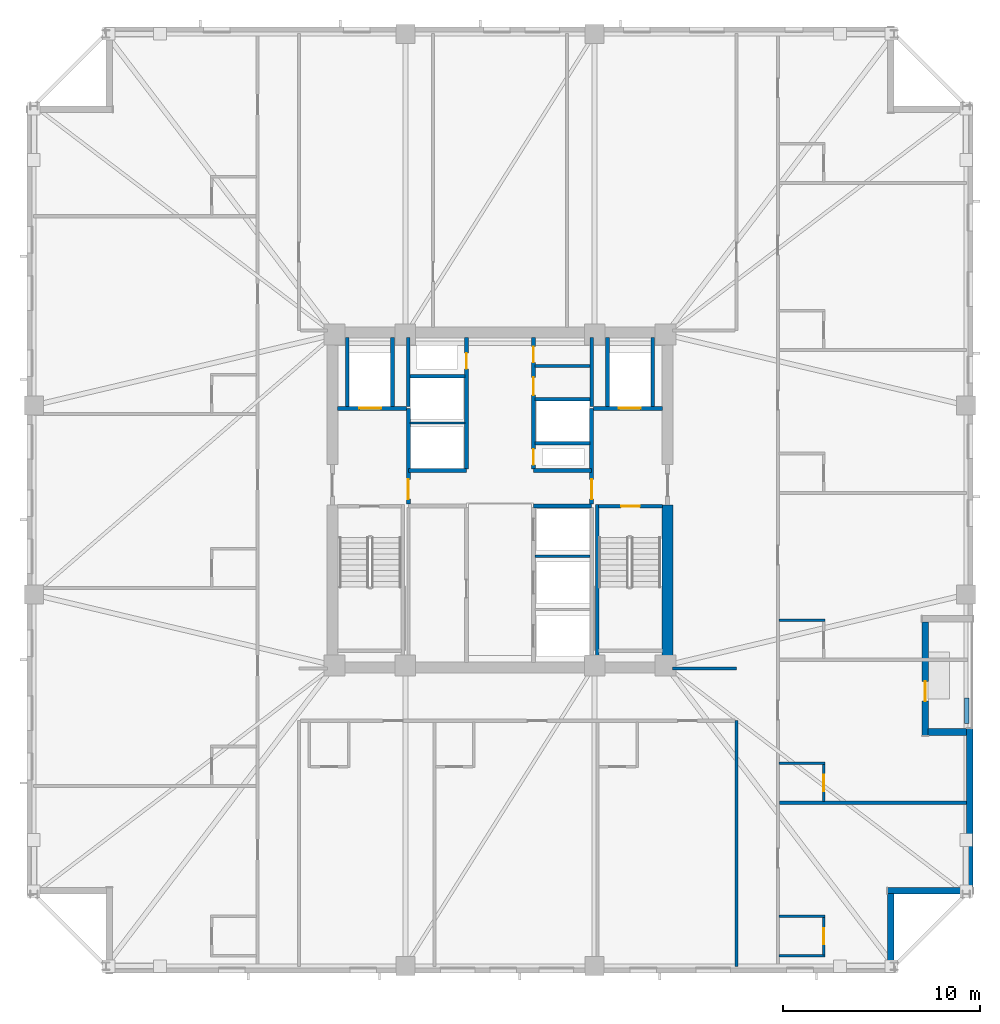
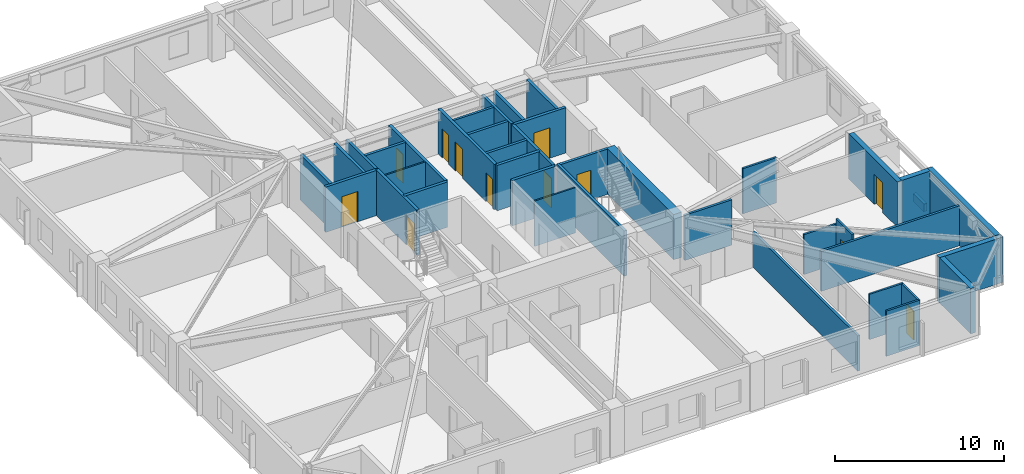
# One storey, part 4 of 11: 39 walls, 12 doors, 12 openings.
"""IFC4 building model written with IfcOpenShell, lengths in metres."""

import ifcopenshell
import ifcopenshell.guid

model = None  # the IFC model being written
_history = None  # IfcOwnerHistory: only IFC2X3 demands one
_inside = {}  # id of a spatial element -> (the spatial element, [elements in it])
_under = {}  # id of a project, library or spatial element -> (it, [spatial elements below it])
_declared = {}  # id of a project -> (the project, [libraries it declares])
_typed = {}  # id of a type object -> (the type object, [elements of that type])
_made_of = {}  # id of a material, layer set ... -> (it, [elements and type objects made of it])


def new_model(schema):
    """Start an empty IFC model of exactly this schema.

    Asked for "IFC4X3", IfcOpenShell would pick the latest addendum, in which some entities
    have other attributes; the version numbers below select the first issue.
    IFC2X3 requires an IfcOwnerHistory on every rooted entity: one is made here for all.
    """
    global model, _history
    if schema == "IFC4X3":
        model = ifcopenshell.file(schema_version=(4, 3, 0, 0))
    else:
        model = ifcopenshell.file(schema=schema)
    _inside.clear()
    _under.clear()
    _declared.clear()
    _typed.clear()
    _made_of.clear()
    _history = None
    if model.schema == "IFC2X3":
        org = make("IfcOrganization", Name="unknown")
        user = make(
            "IfcPersonAndOrganization",
            ThePerson=make("IfcPerson", FamilyName="unknown"),
            TheOrganization=org,
        )
        app = make(
            "IfcApplication",
            ApplicationDeveloper=org,
            Version="unknown",
            ApplicationFullName="unknown",
            ApplicationIdentifier="unknown",
        )
        _history = make(
            "IfcOwnerHistory",
            OwningUser=user,
            OwningApplication=app,
            ChangeAction="ADDED",
            CreationDate=0,
        )
    return model


def make(cls, **values):
    """One entity of the class cls with the attributes given. An attribute that is None is left unset."""
    return model.create_entity(
        cls, **{name: value for name, value in values.items() if value is not None}
    )


def rooted(cls, **values):
    """An entity with a GlobalId (a new one), such as an element, a storey or a relation."""
    return make(cls, GlobalId=ifcopenshell.guid.new(), OwnerHistory=_history, **values)


def si_unit(unit_type, name, prefix=None):
    """IfcSIUnit, for example si_unit("LENGTHUNIT", "METRE", prefix="MILLI")."""
    return make("IfcSIUnit", UnitType=unit_type, Prefix=prefix, Name=name)


def assignment(units):
    """IfcUnitAssignment: the units of a project."""
    return None if units is None else make("IfcUnitAssignment", Units=units)


def point(xyz):
    """IfcCartesianPoint."""
    return None if xyz is None else make("IfcCartesianPoint", Coordinates=xyz)


def direction(xyz):
    """IfcDirection."""
    return None if xyz is None else make("IfcDirection", DirectionRatios=xyz)


def frame(location, z_axis=None, x_axis=None):
    """IfcAxis2Placement3D, a coordinate frame: its origin and axes. An axis left out is left unset."""
    return make(
        "IfcAxis2Placement3D",
        Location=point(location),
        Axis=direction(z_axis),
        RefDirection=direction(x_axis),
    )


def frame_2d(location, x_axis=None):
    """IfcAxis2Placement2D, a coordinate frame in the plane: its origin and x axis."""
    return make(
        "IfcAxis2Placement2D", Location=point(location), RefDirection=direction(x_axis)
    )


def origin():
    """The frame at (0, 0, 0) with its axes left unset."""
    return frame((0.0, 0.0, 0.0))


def place(relative_to, where):
    """IfcLocalPlacement: puts the frame where relative to a parent placement (None: the world)."""
    return make(
        "IfcLocalPlacement", PlacementRelTo=relative_to, RelativePlacement=where
    )


def context(
    kind, dimensions, precision=None, world=None, true_north=None, identifier=None
):
    """IfcGeometricRepresentationContext, for example the 3D "Model" context."""
    return make(
        "IfcGeometricRepresentationContext",
        ContextIdentifier=identifier,
        ContextType=kind,
        CoordinateSpaceDimension=dimensions,
        Precision=precision,
        WorldCoordinateSystem=world,
        TrueNorth=true_north,
    )


def subcontext(parent, identifier, kind, view, scale=None):
    """IfcGeometricRepresentationSubContext, for example "Body" below "Model"."""
    return make(
        "IfcGeometricRepresentationSubContext",
        ContextIdentifier=identifier,
        ContextType=kind,
        ParentContext=parent,
        TargetScale=scale,
        TargetView=view,
    )


def project(units=None, contexts=None):
    """IfcProject with its units and contexts."""
    return rooted(
        "IfcProject",
        Name="project",
        RepresentationContexts=contexts,
        UnitsInContext=assignment(units),
    )


def spatial(cls, under=None, at=None, **own):
    """A site, building, storey or space (cls), placed at a placement, below another one or the project."""
    s = rooted(cls, ObjectPlacement=at, **own)
    if under is not None:
        _under.setdefault(under.id(), (under, []))[1].append(s)
    return s


def profile(cls, at=None, kind="AREA", **sizes):
    """A parametric profile (cls). Its sizes go by their IFC names, for example OverallWidth=200.0."""
    return make(cls, ProfileType=kind, Position=at, **sizes)


def rectangle(**sizes):
    """IfcRectangleProfileDef."""
    return profile("IfcRectangleProfileDef", **sizes)


def extrude(swept, where, along, depth):
    """IfcExtrudedAreaSolid: the profile swept, set in the frame where, extruded along a direction by depth."""
    return make(
        "IfcExtrudedAreaSolid",
        SweptArea=swept,
        Position=where,
        ExtrudedDirection=direction(along),
        Depth=depth,
    )


def shape(context_of_items, identifier, shape_type, items):
    """IfcShapeRepresentation: the items that make up one representation, for example the "Body"."""
    return make(
        "IfcShapeRepresentation",
        ContextOfItems=context_of_items,
        RepresentationIdentifier=identifier,
        RepresentationType=shape_type,
        Items=items,
    )


def material(Name=None, Category=None):
    """IfcMaterial."""
    return make("IfcMaterial", Name=Name, Category=Category)


def layer(
    of_material, thickness, ventilated=None, Name=None, Category=None, Priority=None
):
    """IfcMaterialLayer: one layer of a wall or slab, of a material (None: an air gap)."""
    return make(
        "IfcMaterialLayer",
        Material=of_material,
        LayerThickness=thickness,
        IsVentilated=ventilated,
        Name=Name,
        Category=Category,
        Priority=Priority,
    )


def layer_set(layers, Name=None):
    """IfcMaterialLayerSet."""
    return make("IfcMaterialLayerSet", MaterialLayers=layers, LayerSetName=Name)


def made_of(thing, what):
    """Note that an element or type object is made of a material, layer set ...; save() writes the relation."""
    if what is not None:
        _made_of.setdefault(what.id(), (what, []))[1].append(thing)
    return thing


def type_object(cls, material=None, **own):
    """A type object (cls), such as IfcWallType, which elements share."""
    return made_of(rooted(cls, **own), material)


def element(
    cls,
    number,
    at=None,
    inside=None,
    cuts=None,
    type_object=None,
    material=None,
    context=None,
    identifier="Body",
    shape_type=None,
    held_by="IfcProductDefinitionShape",
    body=None,
    shapes=None,
    **own,
):
    """One element of the class cls, such as IfcWall. Its Tag is "e" and its number.

    at: its placement. inside: the storey or other place that contains it. cuts: it is an
    opening in that element (IfcRelVoidsElement). A single representation is given by context,
    identifier, shape_type and body (its items); several are given by shapes. held_by: the class
    of the entity that holds the representations. save() writes the other relations.
    """
    e = rooted(cls, Tag="e%d" % number, ObjectPlacement=at, **own)
    if body is not None:
        shapes = [shape(context, identifier, shape_type, body)]
    if shapes is not None:
        e.Representation = make(held_by, Representations=shapes)
    if inside is not None:
        _inside.setdefault(inside.id(), (inside, []))[1].append(e)
    if cuts is not None:
        rooted(
            "IfcRelVoidsElement", RelatingBuildingElement=cuts, RelatedOpeningElement=e
        )
    if type_object is not None:
        _typed.setdefault(type_object.id(), (type_object, []))[1].append(e)
    return made_of(e, material)


def fill(opening, filler):
    """IfcRelFillsElement: the door or window that sits in an opening."""
    return rooted(
        "IfcRelFillsElement",
        RelatingOpeningElement=opening,
        RelatedBuildingElement=filler,
    )


def aggregate(whole, parts):
    """IfcRelAggregates: a whole, such as a stair, and the parts it consists of."""
    return rooted("IfcRelAggregates", RelatingObject=whole, RelatedObjects=parts)


def save(model, path):
    """Write the relations noted so far, then the file.

    IfcRelAggregates (storeys below a building ...), IfcRelContainedInSpatialStructure (elements
    in a storey), IfcRelDefinesByType, IfcRelAssociatesMaterial and IfcRelDeclares: one each for
    every whole, place, type object, material and project.
    """
    for whole, parts in _under.values():
        aggregate(whole, parts)
    for where, things in _inside.values():
        rooted(
            "IfcRelContainedInSpatialStructure",
            RelatedElements=things,
            RelatingStructure=where,
        )
    for kind, things in _typed.values():
        rooted("IfcRelDefinesByType", RelatedObjects=things, RelatingType=kind)
    for what, things in _made_of.values():
        rooted("IfcRelAssociatesMaterial", RelatedObjects=things, RelatingMaterial=what)
    for by, libraries in _declared.values():
        rooted("IfcRelDeclares", RelatingContext=by, RelatedDefinitions=libraries)
    model.write(path)


model = new_model("IFC4")

# Units and contexts
model_context = context("Model", 3, precision=1e-05, world=origin(), true_north=direction((0.0, 1.0)))
body_context = subcontext(model_context, "Body", "Model", "MODEL_VIEW")
ifc_project = project(units=[si_unit("LENGTHUNIT", "METRE"), si_unit("AREAUNIT", "SQUARE_METRE"), si_unit("VOLUMEUNIT", "CUBIC_METRE"), si_unit("PLANEANGLEUNIT", "RADIAN"), si_unit("MASSUNIT", "GRAM", prefix="KILO")], contexts=[model_context])

# Site, building, storey
site_placement = place(None, origin())
site = spatial("IfcSite", under=ifc_project, at=site_placement, CompositionType="ELEMENT")
building_placement = place(site_placement, origin())
building = spatial("IfcBuilding", under=site, at=building_placement, Name="Cairnveth Concourse Tower", CompositionType="ELEMENT")
storey_placement = place(building_placement, frame((0.0, 0.0, 176.0)))
storey = spatial("IfcBuildingStorey", under=building, at=storey_placement, Name="L48", CompositionType="ELEMENT", Elevation=176.0)

# Walls
ifc_material_1 = material(Name="Gypsum Plasterboard Partition", Category="gypsum")
ifc_layer_1 = layer(ifc_material_1, 0.159912109375)
ifc_layer_set_1 = layer_set([ifc_layer_1], Name="Gypsum Plasterboard Partition")
wall_type_1 = type_object("IfcWallType", Name="ACOUSTIC PARTY WALL 180", PredefinedType="PARTITIONING", material=ifc_layer_set_1)
wall_1_placement = place(storey_placement, frame((53.784912109375, 45.800048828125, 0.0), z_axis=(0.0, 0.0, 1.0), x_axis=(1.0, 0.0, 0.0)))
element("IfcWall", 1, at=wall_1_placement, inside=storey, type_object=wall_type_1, Name="Interior Wall IW-L48-035", PredefinedType="PARTITIONING", context=body_context, shape_type="SweptSolid", body=[
    extrude(rectangle(XDim=2.7900390625, YDim=0.159912109375, at=frame_2d((1.39501953125, 0.0))), origin(), (0.0, 0.0, 1.0), 3.280029296875),
])
wall_2_placement = place(storey_placement, frame((64.0, 15.324951171875, 0.0), z_axis=(0.0, 0.0, 1.0), x_axis=(0.0, 1.0, 0.0)))
element("IfcWall", 2, at=wall_2_placement, inside=storey, type_object=wall_type_1, Name="Interior Wall IW-L48-042", PredefinedType="PARTITIONING", context=body_context, shape_type="SweptSolid", body=[
    extrude(rectangle(XDim=12.47509765625, YDim=0.159912109375, at=frame_2d((6.237548828125, 0.0))), origin(), (0.0, 0.0, 1.0), 2.554931640625),
])
wall_3_placement = place(storey_placement, frame((60.764892578125, 30.449951171875, 0.0), z_axis=(0.0, 0.0, 1.0), x_axis=(1.0, 0.0, 0.0)))
element("IfcWall", 3, at=wall_3_placement, inside=storey, type_object=wall_type_1, Name="Interior Wall IW-L48-044", PredefinedType="PARTITIONING", context=body_context, shape_type="SweptSolid", body=[
    extrude(rectangle(XDim=3.235107421875, YDim=0.159912109375, at=frame_2d((1.61767578125, 0.0))), origin(), (0.0, 0.0, 1.0), 3.280029296875),
])
wall_4_placement = place(storey_placement, frame((66.179931640625, 23.63916015625, 0.0), z_axis=(0.0, 0.0, 1.0), x_axis=(1.0, 0.0, 0.0)))
element("IfcWall", 4, at=wall_4_placement, inside=storey, type_object=wall_type_1, Name="Interior Wall IW-L48-076", PredefinedType="PARTITIONING", context=body_context, shape_type="SweptSolid", body=[
    extrude(rectangle(XDim=9.4951171875, YDim=0.159912109375, at=frame_2d((4.74755859375, 0.0))), origin(), (0.0, 0.0, 1.0), 2.89599609375),
])
ifc_material_2 = material(Name="Concrete N80 (80 MPa)", Category="concrete")
ifc_layer_2 = layer(ifc_material_2, 0.550048828125)
ifc_layer_set_2 = layer_set([ifc_layer_2], Name="Concrete N80 (80 MPa)")
wall_type_2 = type_object("IfcWallType", Name="CORE SHEAR WALL 550", PredefinedType="SHEAR", material=ifc_layer_set_2)
wall_5_placement = place(storey_placement, frame((60.5, 30.764892578125, 0.0), z_axis=(0.0, 0.0, 1.0), x_axis=(0.0, 1.0, 0.0)))
element("IfcWall", 5, at=wall_5_placement, inside=storey, type_object=wall_type_2, Name="Core East Shear Wall S L48", PredefinedType="SHEAR", context=body_context, shape_type="SweptSolid", body=[
    extrude(rectangle(XDim=7.985107421875, YDim=0.550048828125, at=frame_2d((3.99267578125, 0.0))), origin(), (0.0, 0.0, 1.0), 3.280029296875),
])
ifc_material_3 = material(Name="Concrete N50 (50 MPa)", Category="concrete")
ifc_layer_3 = layer(ifc_material_3, 0.179931640625)
ifc_layer_set_3 = layer_set([ifc_layer_3], Name="Concrete N50 (50 MPa)")
wall_type_3 = type_object("IfcWallType", Name="FIRE SHAFT WALL 180", PredefinedType="SOLIDWALL", material=ifc_layer_set_3)
wall_6_placement = place(storey_placement, frame((47.35009765625, 43.735107421875, 0.0), z_axis=(0.0, 0.0, 1.0), x_axis=(0.0, 1.0, 0.0)))
element("IfcWall", 6, at=wall_6_placement, inside=storey, type_object=wall_type_3, Name="Interior Wall IW-L48-029", PredefinedType="SOLIDWALL", context=body_context, shape_type="SweptSolid", body=[
    extrude(rectangle(XDim=3.5048828125, YDim=0.179931640625, at=frame_2d((1.75244140625, 0.0))), origin(), (0.0, 0.0, 1.0), 3.280029296875),
])
wall_7_placement = place(storey_placement, frame((47.425048828125, 45.280029296875, 0.0), z_axis=(0.0, 0.0, 1.0), x_axis=(1.0, 0.0, 0.0)))
element("IfcWall", 7, at=wall_7_placement, inside=storey, type_object=wall_type_3, Name="Interior Wall IW-L48-031", PredefinedType="SOLIDWALL", context=body_context, shape_type="SweptSolid", body=[
    extrude(rectangle(XDim=2.7900390625, YDim=0.179931640625, at=frame_2d((1.39501953125, 0.0))), origin(), (0.0, 0.0, 1.0), 3.280029296875),
])
wall_8_placement = place(storey_placement, frame((56.64990234375, 43.735107421875, 0.0), z_axis=(0.0, 0.0, 1.0), x_axis=(0.0, 1.0, 0.0)))
element("IfcWall", 8, at=wall_8_placement, inside=storey, type_object=wall_type_3, Name="Interior Wall IW-L48-032", PredefinedType="SOLIDWALL", context=body_context, shape_type="SweptSolid", body=[
    extrude(rectangle(XDim=3.5048828125, YDim=0.179931640625, at=frame_2d((1.75244140625, 0.0))), origin(), (0.0, 0.0, 1.0), 3.280029296875),
])
wall_9_placement = place(storey_placement, frame((53.784912109375, 41.8798828125, 0.0), z_axis=(0.0, 0.0, 1.0), x_axis=(1.0, 0.0, 0.0)))
element("IfcWall", 9, at=wall_9_placement, inside=storey, type_object=wall_type_3, Name="Interior Wall IW-L48-033", PredefinedType="SOLIDWALL", context=body_context, shape_type="SweptSolid", body=[
    extrude(rectangle(XDim=2.780029296875, YDim=0.179931640625, at=frame_2d((1.39013671875, 0.0))), origin(), (0.0, 0.0, 1.0), 3.280029296875),
])
wall_10_placement = place(storey_placement, frame((53.784912109375, 44.1201171875, 0.0), z_axis=(0.0, 0.0, 1.0), x_axis=(1.0, 0.0, 0.0)))
element("IfcWall", 10, at=wall_10_placement, inside=storey, type_object=wall_type_3, Name="Interior Wall IW-L48-034", PredefinedType="SOLIDWALL", context=body_context, shape_type="SweptSolid", body=[
    extrude(rectangle(XDim=2.7900390625, YDim=0.179931640625, at=frame_2d((1.39501953125, 0.0))), origin(), (0.0, 0.0, 1.0), 3.280029296875),
])

# Wall, opening, door
wall_11_placement = place(storey_placement, frame((57.0048828125, 38.68994140625, 0.0), z_axis=(0.0, 0.0, 1.0), x_axis=(1.0, 0.0, 0.0)))
wall_11 = element("IfcWall", 11, at=wall_11_placement, inside=storey, type_object=wall_type_3, Name="Stair ST-2 Shaft Wall NEAR L48", PredefinedType="SOLIDWALL", context=body_context, shape_type="SweptSolid", body=[
    extrude(rectangle(XDim=3.230224609375, YDim=0.179931640625, at=frame_2d((1.615234375, 0.0))), origin(), (0.0, 0.0, 1.0), 3.280029296875),
])
opening_1_placement = place(wall_11_placement, frame((1.139892578125, 0.0, 0.0)))
opening_1 = element("IfcOpeningElement", 12, at=opening_1_placement, cuts=wall_11, Name="Opening ID12", PredefinedType="OPENING", context=body_context, shape_type="SweptSolid", body=[
    extrude(rectangle(XDim=0.949951171875, YDim=2.14990234375, at=frame_2d((0.47509765625, 1.074951171875))), frame((0.0, 0.099853515625, 0.0), z_axis=(0.0, -1.0, 0.0), x_axis=(1.0, 0.0, 0.0)), (0.0, 0.0, 1.0), 0.199951171875),
])
ifc_material_4 = material(Name="Steel Grade 350", Category="steel")
door_type_1 = type_object("IfcDoorType", Name="FIRE STAIR DOOR 950X2150", OperationType="NOTDEFINED", PredefinedType="DOOR", material=ifc_material_4)
door_1_placement = place(opening_1_placement, origin())
door_1 = element("IfcDoor", 13, at=door_1_placement, inside=storey, type_object=door_type_1, Name="Stair ST-2 Fire Door L48", OperationType="SINGLE_SWING_RIGHT", OverallHeight=2.14990234375, OverallWidth=0.949951171875, PredefinedType="DOOR", context=body_context, shape_type="SweptSolid", body=[
    extrude(rectangle(XDim=0.949951171875, YDim=2.14990234375, at=frame_2d((0.47509765625, 1.074951171875))), frame((0.0, 0.02490234375, 0.0), z_axis=(0.0, -1.0, 0.0), x_axis=(1.0, 0.0, 0.0)), (0.0, 0.0, 1.0), 0.050048828125),
])
fill(opening_1, door_1)

# Walls
wall_12_placement = place(storey_placement, frame((56.929931640625, 38.780029296875, 0.0), z_axis=(0.0, 0.0, 1.0), x_axis=(0.0, -1.0, 0.0)))
element("IfcWall", 14, at=wall_12_placement, inside=storey, type_object=wall_type_3, Name="Stair ST-2 Shaft Wall LEFT L48", PredefinedType="SOLIDWALL", context=body_context, shape_type="SweptSolid", body=[
    extrude(rectangle(XDim=8.01708984375, YDim=0.179931640625, at=frame_2d((4.008544921875, 0.0))), origin(), (0.0, 0.0, 1.0), 3.280029296875),
])
ifc_layer_4 = layer(ifc_material_3, 0.199951171875)
ifc_layer_set_4 = layer_set([ifc_layer_4], Name="Concrete N50 (50 MPa)")
wall_type_4 = type_object("IfcWallType", Name="FIRE SHAFT WALL 200", PredefinedType="SOLIDWALL", material=ifc_layer_set_4)
for number, where, z_axis, x_axis, name in (
    (15, (47.35009765625, 40.5, 0.0), (0.0, 0.0, 1.0), (1.0, 0.0, 0.0), "Interior Wall IW-L48-008"),
    (16, (53.699951171875, 38.699951171875, 0.0), (0.0, 0.0, 1.0), (1.0, 0.0, 0.0), "Interior Wall IW-L48-009"),
    (17, (53.699951171875, 40.5, 0.0), (0.0, 0.0, 1.0), (1.0, 0.0, 0.0), "Interior Wall IW-L48-010"),
):
    element("IfcWall", number, at=place(storey_placement, frame(where, z_axis=z_axis, x_axis=x_axis)), inside=storey, type_object=wall_type_4, Name=name, PredefinedType="SOLIDWALL", context=body_context, shape_type="SweptSolid", body=[
        extrude(rectangle(XDim=2.949951171875, YDim=0.199951171875, at=frame_2d((1.47509765625, 0.0))), origin(), (0.0, 0.0, 1.0), 3.280029296875),
    ])

# Wall, opening, door
wall_13_placement = place(storey_placement, frame((50.300048828125, 40.5849609375, 0.0), z_axis=(0.0, 0.0, 1.0), x_axis=(0.0, 1.0, 0.0)))
wall_13 = element("IfcWall", 18, at=wall_13_placement, inside=storey, type_object=wall_type_4, Name="Interior Wall IW-L48-013", PredefinedType="SOLIDWALL", context=body_context, shape_type="SweptSolid", body=[
    extrude(rectangle(XDim=6.655029296875, YDim=0.199951171875, at=frame_2d((3.32763671875, 0.0))), origin(), (0.0, 0.0, 1.0), 3.280029296875),
])
opening_2_placement = place(wall_13_placement, frame((5.06494140625, 0.0, 0.0)))
opening_2 = element("IfcOpeningElement", 19, at=opening_2_placement, cuts=wall_13, Name="Opening ID24", PredefinedType="OPENING", context=body_context, shape_type="SweptSolid", body=[
    extrude(rectangle(XDim=0.800048828125, YDim=2.080078125, at=frame_2d((0.39990234375, 1.0400390625))), frame((0.0, 0.10986328125, 0.0), z_axis=(0.0, -1.0, 0.0), x_axis=(1.0, 0.0, 0.0)), (0.0, 0.0, 1.0), 0.219970703125),
])
door_type_2 = type_object("IfcDoorType", Name="RISER ACCESS DOOR 800X2100", OperationType="NOTDEFINED", PredefinedType="DOOR", material=ifc_material_4)
door_2_placement = place(opening_2_placement, origin())
door_2 = element("IfcDoor", 20, at=door_2_placement, inside=storey, type_object=door_type_2, Name="NW Electrical Riser Access Door L48", OperationType="SINGLE_SWING_LEFT", OverallHeight=2.080078125, OverallWidth=0.800048828125, PredefinedType="DOOR", context=body_context, shape_type="SweptSolid", body=[
    extrude(rectangle(XDim=0.800048828125, YDim=2.080078125, at=frame_2d((0.39990234375, 1.0400390625))), frame((0.0, 0.02490234375, 0.0), z_axis=(0.0, -1.0, 0.0), x_axis=(1.0, 0.0, 0.0)), (0.0, 0.0, 1.0), 0.050048828125),
])
fill(opening_2, door_2)

# Wall, openings, doors
wall_14_placement = place(storey_placement, frame((53.699951171875, 40.5849609375, 0.0), z_axis=(0.0, 0.0, 1.0), x_axis=(0.0, 1.0, 0.0)))
wall_14 = element("IfcWall", 21, at=wall_14_placement, inside=storey, type_object=wall_type_4, Name="Interior Wall IW-L48-014", PredefinedType="SOLIDWALL", context=body_context, shape_type="SweptSolid", body=[
    extrude(rectangle(XDim=6.655029296875, YDim=0.199951171875, at=frame_2d((3.32763671875, 0.0))), origin(), (0.0, 0.0, 1.0), 3.280029296875),
])
opening_3_placement = place(wall_14_placement, frame((0.195068359375, 0.0, 0.0)))
opening_3 = element("IfcOpeningElement", 22, at=opening_3_placement, cuts=wall_14, Name="Opening ID24", PredefinedType="OPENING", context=body_context, shape_type="SweptSolid", body=[
    extrude(rectangle(XDim=0.800048828125, YDim=2.080078125, at=frame_2d((0.39990234375, 1.0400390625))), frame((0.0, 0.10986328125, 0.0), z_axis=(0.0, -1.0, 0.0), x_axis=(1.0, 0.0, 0.0)), (0.0, 0.0, 1.0), 0.219970703125),
])
opening_4_placement = place(wall_14_placement, frame((3.735107421875, 0.0, 0.0)))
opening_4 = element("IfcOpeningElement", 23, at=opening_4_placement, cuts=wall_14, Name="Opening ID26", PredefinedType="OPENING", context=body_context, shape_type="SweptSolid", body=[
    extrude(rectangle(XDim=0.89990234375, YDim=2.1201171875, at=frame_2d((0.449951171875, 1.06005859375))), frame((0.0, 0.10986328125, 0.0), z_axis=(0.0, -1.0, 0.0), x_axis=(1.0, 0.0, 0.0)), (0.0, 0.0, 1.0), 0.219970703125),
])
opening_5_placement = place(wall_14_placement, frame((5.39501953125, 0.0, 0.0)))
opening_5 = element("IfcOpeningElement", 24, at=opening_5_placement, cuts=wall_14, Name="Opening ID23", PredefinedType="OPENING", context=body_context, shape_type="SweptSolid", body=[
    extrude(rectangle(XDim=0.800048828125, YDim=2.10009765625, at=frame_2d((0.39990234375, 1.050048828125))), frame((0.0, 0.10986328125, 0.0), z_axis=(0.0, -1.0, 0.0), x_axis=(1.0, 0.0, 0.0)), (0.0, 0.0, 1.0), 0.219970703125),
])
door_type_3 = type_object("IfcDoorType", Name="CORE SERVICE DOOR 800X2100", OperationType="NOTDEFINED", PredefinedType="DOOR", material=ifc_material_4)
door_3_placement = place(opening_5_placement, origin())
door_3 = element("IfcDoor", 25, at=door_3_placement, inside=storey, type_object=door_type_3, Name="Core NE Cleaners Door L48", OperationType="SINGLE_SWING_RIGHT", OverallHeight=2.10009765625, OverallWidth=0.800048828125, PredefinedType="DOOR", context=body_context, shape_type="SweptSolid", body=[
    extrude(rectangle(XDim=0.800048828125, YDim=2.10009765625, at=frame_2d((0.39990234375, 1.050048828125))), frame((0.0, 0.02490234375, 0.0), z_axis=(0.0, -1.0, 0.0), x_axis=(1.0, 0.0, 0.0)), (0.0, 0.0, 1.0), 0.050048828125),
])
fill(opening_5, door_3)
door_type_4 = type_object("IfcDoorType", Name="CORE TOILET FIRE DOOR 900X2120", OperationType="NOTDEFINED", PredefinedType="DOOR", material=ifc_material_4)
door_4_placement = place(opening_4_placement, origin())
door_4 = element("IfcDoor", 26, at=door_4_placement, inside=storey, type_object=door_type_4, Name="Core NE Unisex WC Door L48", OperationType="SINGLE_SWING_LEFT", OverallHeight=2.1201171875, OverallWidth=0.89990234375, PredefinedType="DOOR", context=body_context, shape_type="SweptSolid", body=[
    extrude(rectangle(XDim=0.89990234375, YDim=2.1201171875, at=frame_2d((0.449951171875, 1.06005859375))), frame((0.0, 0.02490234375, 0.0), z_axis=(0.0, -1.0, 0.0), x_axis=(1.0, 0.0, 0.0)), (0.0, 0.0, 1.0), 0.050048828125),
])
fill(opening_4, door_4)
door_5_placement = place(opening_3_placement, origin())
door_5 = element("IfcDoor", 27, at=door_5_placement, inside=storey, type_object=door_type_2, Name="Hydraulic Riser Door L48", OperationType="SINGLE_SWING_RIGHT", OverallHeight=2.080078125, OverallWidth=0.800048828125, PredefinedType="DOOR", context=body_context, shape_type="SweptSolid", body=[
    extrude(rectangle(XDim=0.800048828125, YDim=2.080078125, at=frame_2d((0.39990234375, 1.0400390625))), frame((0.0, 0.02490234375, 0.0), z_axis=(0.0, -1.0, 0.0), x_axis=(1.0, 0.0, 0.0)), (0.0, 0.0, 1.0), 0.050048828125),
])
fill(opening_3, door_5)

# Wall, opening, door
wall_15_placement = place(storey_placement, frame((47.35009765625, 38.784912109375, 0.0), z_axis=(0.0, 0.0, 1.0), x_axis=(0.0, 1.0, 0.0)))
wall_15 = element("IfcWall", 28, at=wall_15_placement, inside=storey, type_object=wall_type_4, Name="Interior Wall IW-L48-016", PredefinedType="SOLIDWALL", context=body_context, shape_type="SweptSolid", body=[
    extrude(rectangle(XDim=4.864990234375, YDim=0.199951171875, at=frame_2d((2.4326171875, 0.0))), origin(), (0.0, 0.0, 1.0), 3.280029296875),
])
opening_6_placement = place(wall_15_placement, frame((0.264892578125, 0.0, 0.0)))
opening_6 = element("IfcOpeningElement", 29, at=opening_6_placement, cuts=wall_15, Name="Opening ID07", PredefinedType="OPENING", context=body_context, shape_type="SweptSolid", body=[
    extrude(rectangle(XDim=1.0, YDim=2.14990234375, at=frame_2d((0.5, 1.074951171875))), frame((0.0, 0.10986328125, 0.0), z_axis=(0.0, -1.0, 0.0), x_axis=(1.0, 0.0, 0.0)), (0.0, 0.0, 1.0), 0.219970703125),
])
door_type_5 = type_object("IfcDoorType", Name="FIRE CORRIDOR DOOR 1000X2150", OperationType="NOTDEFINED", PredefinedType="DOOR", material=ifc_material_4)
door_6_placement = place(opening_6_placement, origin())
door_6 = element("IfcDoor", 30, at=door_6_placement, inside=storey, type_object=door_type_5, Name="FF Lobby West to Lift Lobby Door L48", OperationType="SINGLE_SWING_RIGHT", OverallHeight=2.14990234375, OverallWidth=1.0, PredefinedType="DOOR", context=body_context, shape_type="SweptSolid", body=[
    extrude(rectangle(XDim=1.0, YDim=2.14990234375, at=frame_2d((0.5, 1.074951171875))), frame((0.0, 0.02490234375, 0.0), z_axis=(0.0, -1.0, 0.0), x_axis=(1.0, 0.0, 0.0)), (0.0, 0.0, 1.0), 0.050048828125),
])
fill(opening_6, door_6)

wall_16_placement = place(storey_placement, frame((43.760009765625, 43.64990234375, 0.0), z_axis=(0.0, 0.0, 1.0), x_axis=(1.0, 0.0, 0.0)))
wall_16 = element("IfcWall", 31, at=wall_16_placement, inside=storey, type_object=wall_type_4, Name="Interior Wall IW-L48-017", PredefinedType="SOLIDWALL", context=body_context, shape_type="SweptSolid", body=[
    extrude(rectangle(XDim=3.5048828125, YDim=0.199951171875, at=frame_2d((1.75244140625, 0.0))), origin(), (0.0, 0.0, 1.0), 3.280029296875),
])
opening_7_placement = place(wall_16_placement, frame((1.110107421875, 0.0, 0.0)))
opening_7 = element("IfcOpeningElement", 32, at=opening_7_placement, cuts=wall_16, Name="Opening LD-1", PredefinedType="OPENING", context=body_context, shape_type="SweptSolid", body=[
    extrude(rectangle(XDim=1.10009765625, YDim=2.199951171875, at=frame_2d((0.550048828125, 1.10009765625))), frame((0.0, 0.10986328125, 0.0), z_axis=(0.0, -1.0, 0.0), x_axis=(1.0, 0.0, 0.0)), (0.0, 0.0, 1.0), 0.219970703125),
])
ifc_material_5 = material(Name="Architectural Bronze Anodised Aluminium 6063-T6", Category="aluminium")
door_type_6 = type_object("IfcDoorType", Name="LIFT LANDING DOOR 1100X2200", OperationType="SLIDING_TO_LEFT", PredefinedType="DOOR", material=ifc_material_5)
door_7_placement = place(opening_7_placement, origin())
door_7 = element("IfcDoor", 33, at=door_7_placement, inside=storey, type_object=door_type_6, Name="Lift FFL1 Landing Door L48", OperationType="SLIDING_TO_LEFT", OverallHeight=2.199951171875, OverallWidth=1.10009765625, PredefinedType="DOOR", context=body_context, shape_type="SweptSolid", body=[
    extrude(rectangle(XDim=1.10009765625, YDim=2.199951171875, at=frame_2d((0.550048828125, 1.10009765625))), frame((0.0, 0.02490234375, 0.0), z_axis=(0.0, -1.0, 0.0), x_axis=(1.0, 0.0, 0.0)), (0.0, 0.0, 1.0), 0.050048828125),
])
fill(opening_7, door_7)

# Walls
for number, where, z_axis, x_axis, name in (
    (34, (46.550048828125, 43.735107421875, 0.0), (0.0, 0.0, 1.0), (0.0, 1.0, 0.0), "Interior Wall IW-L48-018"),
    (35, (44.25, 43.735107421875, 0.0), (0.0, 0.0, 1.0), (0.0, 1.0, 0.0), "Interior Wall IW-L48-019"),
):
    element("IfcWall", number, at=place(storey_placement, frame(where, z_axis=z_axis, x_axis=x_axis)), inside=storey, type_object=wall_type_4, Name=name, PredefinedType="SOLIDWALL", context=body_context, shape_type="SweptSolid", body=[
        extrude(rectangle(XDim=3.5048828125, YDim=0.199951171875, at=frame_2d((1.75244140625, 0.0))), origin(), (0.0, 0.0, 1.0), 3.280029296875),
    ])

# Wall, opening, door
wall_17_placement = place(storey_placement, frame((56.64990234375, 38.784912109375, 0.0), z_axis=(0.0, 0.0, 1.0), x_axis=(0.0, 1.0, 0.0)))
wall_17 = element("IfcWall", 36, at=wall_17_placement, inside=storey, type_object=wall_type_4, Name="Interior Wall IW-L48-021", PredefinedType="SOLIDWALL", context=body_context, shape_type="SweptSolid", body=[
    extrude(rectangle(XDim=4.864990234375, YDim=0.199951171875, at=frame_2d((2.4326171875, 0.0))), origin(), (0.0, 0.0, 1.0), 3.280029296875),
])
opening_8_placement = place(wall_17_placement, frame((0.264892578125, 0.0, 0.0)))
opening_8 = element("IfcOpeningElement", 37, at=opening_8_placement, cuts=wall_17, Name="Opening ID07", PredefinedType="OPENING", context=body_context, shape_type="SweptSolid", body=[
    extrude(rectangle(XDim=1.0, YDim=2.14990234375, at=frame_2d((0.5, 1.074951171875))), frame((0.0, 0.10986328125, 0.0), z_axis=(0.0, -1.0, 0.0), x_axis=(1.0, 0.0, 0.0)), (0.0, 0.0, 1.0), 0.219970703125),
])
door_8_placement = place(opening_8_placement, origin())
door_8 = element("IfcDoor", 38, at=door_8_placement, inside=storey, type_object=door_type_5, Name="FF Lobby East to Lift Lobby Door L48", OperationType="SINGLE_SWING_LEFT", OverallHeight=2.14990234375, OverallWidth=1.0, PredefinedType="DOOR", context=body_context, shape_type="SweptSolid", body=[
    extrude(rectangle(XDim=1.0, YDim=2.14990234375, at=frame_2d((0.5, 1.074951171875))), frame((0.0, 0.02490234375, 0.0), z_axis=(0.0, -1.0, 0.0), x_axis=(1.0, 0.0, 0.0)), (0.0, 0.0, 1.0), 0.050048828125),
])
fill(opening_8, door_8)

wall_18_placement = place(storey_placement, frame((56.735107421875, 43.64990234375, 0.0), z_axis=(0.0, 0.0, 1.0), x_axis=(1.0, 0.0, 0.0)))
wall_18 = element("IfcWall", 39, at=wall_18_placement, inside=storey, type_object=wall_type_4, Name="Interior Wall IW-L48-022", PredefinedType="SOLIDWALL", context=body_context, shape_type="SweptSolid", body=[
    extrude(rectangle(XDim=3.5048828125, YDim=0.199951171875, at=frame_2d((1.75244140625, 0.0))), origin(), (0.0, 0.0, 1.0), 3.280029296875),
])
opening_9_placement = place(wall_18_placement, frame((1.294921875, 0.0, 0.0)))
opening_9 = element("IfcOpeningElement", 40, at=opening_9_placement, cuts=wall_18, Name="Opening LD-1", PredefinedType="OPENING", context=body_context, shape_type="SweptSolid", body=[
    extrude(rectangle(XDim=1.10009765625, YDim=2.199951171875, at=frame_2d((0.550048828125, 1.10009765625))), frame((0.0, 0.10986328125, 0.0), z_axis=(0.0, -1.0, 0.0), x_axis=(1.0, 0.0, 0.0)), (0.0, 0.0, 1.0), 0.219970703125),
])
door_9_placement = place(opening_9_placement, origin())
door_9 = element("IfcDoor", 41, at=door_9_placement, inside=storey, type_object=door_type_6, Name="Lift FFL2 Landing Door L48", OperationType="SLIDING_TO_LEFT", OverallHeight=2.199951171875, OverallWidth=1.10009765625, PredefinedType="DOOR", context=body_context, shape_type="SweptSolid", body=[
    extrude(rectangle(XDim=1.10009765625, YDim=2.199951171875, at=frame_2d((0.550048828125, 1.10009765625))), frame((0.0, 0.02490234375, 0.0), z_axis=(0.0, -1.0, 0.0), x_axis=(1.0, 0.0, 0.0)), (0.0, 0.0, 1.0), 0.050048828125),
])
fill(opening_9, door_9)

# Walls
for number, where, z_axis, x_axis, name in (
    (42, (57.449951171875, 43.735107421875, 0.0), (0.0, 0.0, 1.0), (0.0, 1.0, 0.0), "Interior Wall IW-L48-023"),
    (43, (59.75, 43.735107421875, 0.0), (0.0, 0.0, 1.0), (0.0, 1.0, 0.0), "Interior Wall IW-L48-024"),
):
    element("IfcWall", number, at=place(storey_placement, frame(where, z_axis=z_axis, x_axis=x_axis)), inside=storey, type_object=wall_type_4, Name=name, PredefinedType="SOLIDWALL", context=body_context, shape_type="SweptSolid", body=[
        extrude(rectangle(XDim=3.5048828125, YDim=0.199951171875, at=frame_2d((1.75244140625, 0.0))), origin(), (0.0, 0.0, 1.0), 3.280029296875),
    ])
ifc_layer_5 = layer(ifc_material_1, 0.110107421875)
ifc_layer_set_5 = layer_set([ifc_layer_5], Name="Gypsum Plasterboard Partition")
wall_type_5 = type_object("IfcWallType", Name="SHAFT DIVIDER WALL 140", PredefinedType="PARTITIONING", material=ifc_layer_set_5)
wall_19_placement = place(storey_placement, frame((53.784912109375, 36.14990234375, 0.0), z_axis=(0.0, 0.0, 1.0), x_axis=(1.0, 0.0, 0.0)))
element("IfcWall", 44, at=wall_19_placement, inside=storey, type_object=wall_type_5, Name="Interior Wall IW-L48-028", PredefinedType="PARTITIONING", context=body_context, shape_type="SweptSolid", body=[
    extrude(rectangle(XDim=2.7900390625, YDim=0.110107421875, at=frame_2d((1.39501953125, 0.0))), origin(), (0.0, 0.0, 1.0), 3.280029296875),
])
wall_20_placement = place(storey_placement, frame((47.43505859375, 42.89990234375, 0.0), z_axis=(0.0, 0.0, 1.0), x_axis=(1.0, 0.0, 0.0)))
element("IfcWall", 45, at=wall_20_placement, inside=storey, type_object=wall_type_5, Name="Interior Wall IW-L48-030", PredefinedType="PARTITIONING", context=body_context, shape_type="SweptSolid", body=[
    extrude(rectangle(XDim=2.780029296875, YDim=0.110107421875, at=frame_2d((1.39013671875, 0.0))), origin(), (0.0, 0.0, 1.0), 3.280029296875),
])
ifc_material_6 = material(Name="Dressed Melbourne Bluestone Cladding", Category="masonry")
ifc_layer_6 = layer(ifc_material_6, 0.219970703125)
ifc_layer_set_6 = layer_set([ifc_layer_6], Name="Dressed Melbourne Bluestone Cladding")
wall_type_6 = type_object("IfcWallType", Name="TERRACE PLANTER CURB WALL 220", PredefinedType="PARAPET", material=ifc_layer_set_6)
wall_21_placement = place(storey_placement, frame((75.679931640625, 27.64990234375, 0.0), z_axis=(0.0, 0.0, 1.0), x_axis=(0.0, 1.0, 0.0)))
element("IfcWall", 46, at=wall_21_placement, inside=storey, type_object=wall_type_6, Name="Exterior Wall PLNT-L48-TERR", PredefinedType="PARAPET", context=body_context, shape_type="SweptSolid", body=[
    extrude(rectangle(XDim=1.300048828125, YDim=0.219970703125, at=frame_2d((0.64990234375, 0.0))), origin(), (0.0, 0.0, 1.0), 0.550048828125),
])
ifc_layer_7 = layer(ifc_material_1, 0.1298828125)
ifc_layer_set_7 = layer_set([ifc_layer_7], Name="Gypsum Plasterboard Partition")
wall_type_7 = type_object("IfcWallType", Name="WET AREA PARTITION 140", PredefinedType="PLUMBINGWALL", material=ifc_layer_set_7)
for number, where, z_axis, x_axis, name in (
    (47, (66.1650390625, 15.8701171875, 0.0), (0.0, 0.0, 1.0), (1.0, 0.0, 0.0), "Interior Wall IW-L48-073"),
    (48, (66.1650390625, 17.8701171875, 0.0), (0.0, 0.0, 1.0), (1.0, 0.0, 0.0), "Interior Wall IW-L48-074"),
):
    element("IfcWall", number, at=place(storey_placement, frame(where, z_axis=z_axis, x_axis=x_axis)), inside=storey, type_object=wall_type_7, Name=name, PredefinedType="PLUMBINGWALL", context=body_context, shape_type="SweptSolid", body=[
        extrude(rectangle(XDim=2.31494140625, YDim=0.1298828125, at=frame_2d((1.157470703125, 0.0))), origin(), (0.0, 0.0, 1.0), 3.280029296875),
    ])

# Wall, opening, door
wall_22_placement = place(storey_placement, frame((68.429931640625, 15.919921875, 0.0), z_axis=(0.0, 0.0, 1.0), x_axis=(0.0, 1.0, 0.0)))
wall_22 = element("IfcWall", 49, at=wall_22_placement, inside=storey, type_object=wall_type_7, Name="Interior Wall IW-L48-075", PredefinedType="PLUMBINGWALL", context=body_context, shape_type="SweptSolid", body=[
    extrude(rectangle(XDim=1.900146484375, YDim=0.1298828125, at=frame_2d((0.9501953125, 0.0))), origin(), (0.0, 0.0, 1.0), 3.280029296875),
])
opening_10_placement = place(wall_22_placement, frame((0.5400390625, 0.0, 0.0)))
opening_10 = element("IfcOpeningElement", 50, at=opening_10_placement, cuts=wall_22, Name="Opening ID22", PredefinedType="OPENING", context=body_context, shape_type="SweptSolid", body=[
    extrude(rectangle(XDim=0.820068359375, YDim=2.10009765625, at=frame_2d((0.41015625, 1.050048828125))), frame((0.0, 0.074951171875, 0.0), z_axis=(0.0, -1.0, 0.0), x_axis=(1.0, 0.0, 0.0)), (0.0, 0.0, 1.0), 0.14990234375),
])
ifc_material_7 = material(Name="Solid Core Hardwood Timber Leaf", Category="wood")
door_type_7 = type_object("IfcDoorType", Name="INTERIOR WC DOOR 820X2100", OperationType="NOTDEFINED", PredefinedType="DOOR", material=ifc_material_7)
door_10_placement = place(opening_10_placement, origin())
door_10 = element("IfcDoor", 51, at=door_10_placement, inside=storey, type_object=door_type_7, Name="En-Suite Door L48-E1", OperationType="SINGLE_SWING_RIGHT", OverallHeight=2.10009765625, OverallWidth=0.820068359375, PredefinedType="DOOR", context=body_context, shape_type="SweptSolid", body=[
    extrude(rectangle(XDim=0.820068359375, YDim=2.10009765625, at=frame_2d((0.41015625, 1.050048828125))), frame((0.0, 0.02490234375, 0.0), z_axis=(0.0, -1.0, 0.0), x_axis=(1.0, 0.0, 0.0)), (0.0, 0.0, 1.0), 0.050048828125),
])
fill(opening_10, door_10)

# Wall
wall_23_placement = place(storey_placement, frame((66.1650390625, 25.63916015625, 0.0), z_axis=(0.0, 0.0, 1.0), x_axis=(1.0, 0.0, 0.0)))
element("IfcWall", 52, at=wall_23_placement, inside=storey, type_object=wall_type_7, Name="Interior Wall IW-L48-077", PredefinedType="PLUMBINGWALL", context=body_context, shape_type="SweptSolid", body=[
    extrude(rectangle(XDim=2.31494140625, YDim=0.1298828125, at=frame_2d((1.157470703125, 0.0))), origin(), (0.0, 0.0, 1.0), 2.89599609375),
])

# Wall, opening, door
wall_24_placement = place(storey_placement, frame((68.429931640625, 23.7041015625, 0.0), z_axis=(0.0, 0.0, 1.0), x_axis=(0.0, 1.0, 0.0)))
wall_24 = element("IfcWall", 53, at=wall_24_placement, inside=storey, type_object=wall_type_7, Name="Interior Wall IW-L48-078", PredefinedType="PLUMBINGWALL", context=body_context, shape_type="SweptSolid", body=[
    extrude(rectangle(XDim=1.885009765625, YDim=0.1298828125, at=frame_2d((0.9423828125, 0.0))), origin(), (0.0, 0.0, 1.0), 3.280029296875),
])
opening_11_placement = place(wall_24_placement, frame((0.52490234375, 0.0, 0.0)))
opening_11 = element("IfcOpeningElement", 54, at=opening_11_placement, cuts=wall_24, Name="Opening ID22", PredefinedType="OPENING", context=body_context, shape_type="SweptSolid", body=[
    extrude(rectangle(XDim=0.820068359375, YDim=2.10009765625, at=frame_2d((0.41015625, 1.050048828125))), frame((0.0, 0.074951171875, 0.0), z_axis=(0.0, -1.0, 0.0), x_axis=(1.0, 0.0, 0.0)), (0.0, 0.0, 1.0), 0.14990234375),
])
door_11_placement = place(opening_11_placement, origin())
door_11 = element("IfcDoor", 55, at=door_11_placement, inside=storey, type_object=door_type_7, Name="En-Suite Door L48-E2", OperationType="SINGLE_SWING_RIGHT", OverallHeight=2.10009765625, OverallWidth=0.820068359375, PredefinedType="DOOR", context=body_context, shape_type="SweptSolid", body=[
    extrude(rectangle(XDim=0.820068359375, YDim=2.10009765625, at=frame_2d((0.41015625, 1.050048828125))), frame((0.0, 0.02490234375, 0.0), z_axis=(0.0, -1.0, 0.0), x_axis=(1.0, 0.0, 0.0)), (0.0, 0.0, 1.0), 0.050048828125),
])
fill(opening_11, door_11)

# Walls
wall_25_placement = place(storey_placement, frame((66.1650390625, 32.891357421875, 0.0), z_axis=(0.0, 0.0, 1.0), x_axis=(1.0, 0.0, 0.0)))
element("IfcWall", 56, at=wall_25_placement, inside=storey, type_object=wall_type_7, Name="Interior Wall IW-L48-080", PredefinedType="PLUMBINGWALL", context=body_context, shape_type="SweptSolid", body=[
    extrude(rectangle(XDim=2.31494140625, YDim=0.1298828125, at=frame_2d((1.157470703125, 0.0))), origin(), (0.0, 0.0, 1.0), 3.280029296875),
])
ifc_material_8 = material(Name="Hawthorn Red-Ochre Fired Clay Brick Masonry", Category="masonry")
ifc_layer_8 = layer(ifc_material_8, 0.340087890625)
ifc_layer_set_8 = layer_set([ifc_layer_8], Name="Hawthorn Red-Ochre Fired Clay Brick Masonry")
wall_type_8 = type_object("IfcWallType", Name="ZONE 2 BRICK PIER SPANDREL WALL 340", PredefinedType="SOLIDWALL", material=ifc_layer_set_8)
wall_26_placement = place(storey_placement, frame((75.830078125, 27.39990234375, 0.0), z_axis=(0.0, 0.0, 1.0), x_axis=(0.0, -1.0, 0.0)))
element("IfcWall", 57, at=wall_26_placement, inside=storey, type_object=wall_type_8, Name="Exterior Wall EW-L48-S00", PredefinedType="SOLIDWALL", context=body_context, shape_type="SweptSolid", body=[
    extrude(rectangle(XDim=8.081787109375, YDim=0.340087890625, at=frame_2d((4.041015625, 0.0))), origin(), (0.0, 0.0, 1.0), 3.280029296875),
])
wall_27_placement = place(storey_placement, frame((76.0, 19.169921875, 0.0), z_axis=(0.0, 0.0, 1.0), x_axis=(-1.0, 0.0, 0.0)))
element("IfcWall", 58, at=wall_27_placement, inside=storey, type_object=wall_type_8, Name="Exterior Wall EW-L48-S01", PredefinedType="SOLIDWALL", context=body_context, shape_type="SweptSolid", body=[
    extrude(rectangle(XDim=4.340087890625, YDim=0.340087890625, at=frame_2d((2.169921875, 0.0))), origin(), (0.0, 0.0, 1.0), 3.280029296875),
])
wall_28_placement = place(storey_placement, frame((71.830078125, 19.02197265625, 0.0), z_axis=(0.0, 0.0, 1.0), x_axis=(0.0, -1.0, 0.0)))
element("IfcWall", 59, at=wall_28_placement, inside=storey, type_object=wall_type_8, Name="Exterior Wall EW-L48-S02", PredefinedType="SOLIDWALL", context=body_context, shape_type="SweptSolid", body=[
    extrude(rectangle(XDim=3.703857421875, YDim=0.340087890625, at=frame_2d((1.85205078125, 0.0))), origin(), (0.0, 0.0, 1.0), 3.280029296875),
])

# Wall, opening, door
wall_29_placement = place(storey_placement, frame((73.580078125, 32.822021484375, 0.0), z_axis=(0.0, 0.0, 1.0), x_axis=(0.0, -1.0, 0.0)))
wall_29 = element("IfcWall", 60, at=wall_29_placement, inside=storey, type_object=wall_type_8, Name="Exterior Wall EW-L48-S14", PredefinedType="SOLIDWALL", context=body_context, shape_type="SweptSolid", body=[
    extrude(rectangle(XDim=5.761962890625, YDim=0.340087890625, at=frame_2d((2.880859375, 0.0))), origin(), (0.0, 0.0, 1.0), 3.280029296875),
])
opening_12_placement = place(wall_29_placement, frame((3.021240234375, 0.0, 0.0)))
opening_12 = element("IfcOpeningElement", 61, at=opening_12_placement, cuts=wall_29, Name="Opening ED4", PredefinedType="OPENING", context=body_context, shape_type="SweptSolid", body=[
    extrude(rectangle(XDim=1.0, YDim=2.14990234375, at=frame_2d((0.5, 1.074951171875))), frame((0.0, 0.179931640625, 0.0), z_axis=(0.0, -1.0, 0.0), x_axis=(1.0, 0.0, 0.0)), (0.0, 0.0, 1.0), 0.360107421875),
])
door_type_8 = type_object("IfcDoorType", Name="TERRACE GLAZED DOOR 1000X2150", OperationType="NOTDEFINED", PredefinedType="DOOR", material=ifc_material_5)
door_12_placement = place(opening_12_placement, origin())
door_12 = element("IfcDoor", 62, at=door_12_placement, inside=storey, type_object=door_type_8, Name="Spiral Terrace Door L48", OperationType="SINGLE_SWING_LEFT", OverallHeight=2.14990234375, OverallWidth=1.0, PredefinedType="DOOR", context=body_context, shape_type="SweptSolid", body=[
    extrude(rectangle(XDim=1.0, YDim=2.14990234375, at=frame_2d((0.5, 1.074951171875))), frame((0.0, 0.02490234375, 0.0), z_axis=(0.0, -1.0, 0.0), x_axis=(1.0, 0.0, 0.0)), (0.0, 0.0, 1.0), 0.050048828125),
])
fill(opening_12, door_12)

# Wall
wall_30_placement = place(storey_placement, frame((73.72802734375, 27.22998046875, 0.0), z_axis=(0.0, 0.0, 1.0), x_axis=(1.0, 0.0, 0.0)))
element("IfcWall", 63, at=wall_30_placement, inside=storey, type_object=wall_type_8, Name="Exterior Wall EW-L48-S15", PredefinedType="SOLIDWALL", context=body_context, shape_type="SweptSolid", body=[
    extrude(rectangle(XDim=1.953857421875, YDim=0.340087890625, at=frame_2d((0.97705078125, 0.0))), origin(), (0.0, 0.0, 1.0), 3.280029296875),
])

save(model, "model.ifc")
